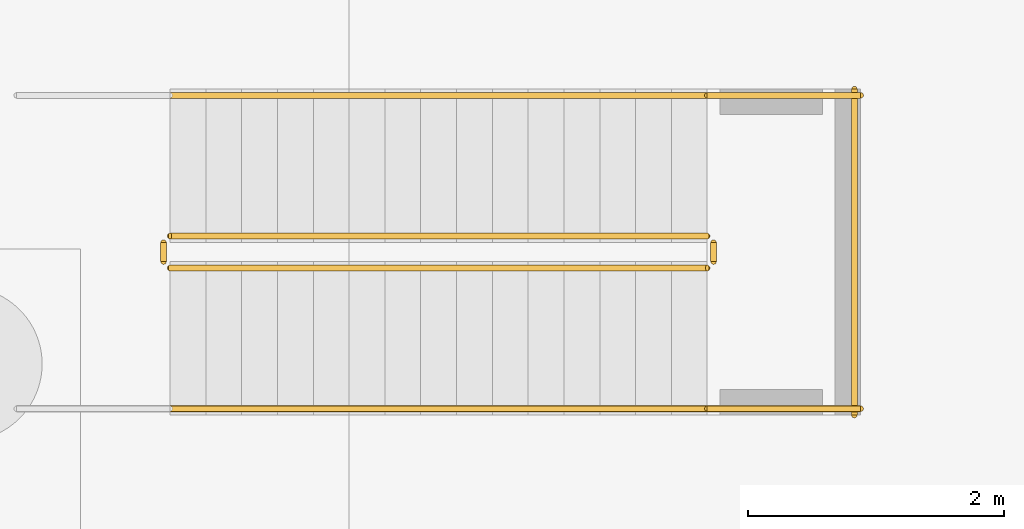
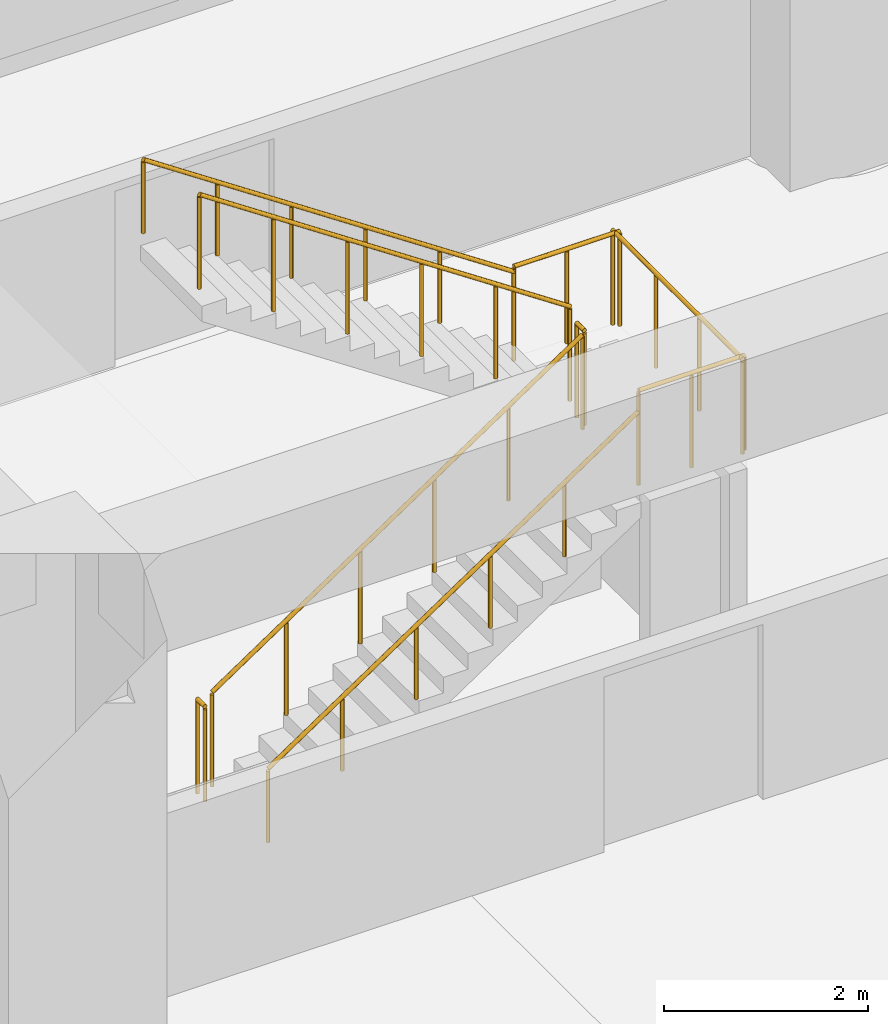
# One storey, part 10 of 13: 9 railings.
"""IFC4 building model written with IfcOpenShell, lengths in metres."""

from ifc_helpers import new_model, si_unit, direction, frame, origin, origin_2d, place, context, subcontext, project, spatial, circle, extrude, material, type_object, element, save


model = new_model("IFC4")

# Units and contexts
model_context = context("Model", 3, precision=1e-05, world=origin(), true_north=direction((0.0, 1.0)))
body_context = subcontext(model_context, "Body", "Model", "MODEL_VIEW")
ifc_project = project(units=[si_unit("LENGTHUNIT", "METRE"), si_unit("AREAUNIT", "SQUARE_METRE"), si_unit("VOLUMEUNIT", "CUBIC_METRE"), si_unit("PLANEANGLEUNIT", "RADIAN"), si_unit("MASSUNIT", "GRAM", prefix="KILO")], contexts=[model_context])

# Site, building, storey
site_placement = place(None, origin())
site = spatial("IfcSite", under=ifc_project, at=site_placement, CompositionType="ELEMENT")
building_placement = place(site_placement, origin())
building = spatial("IfcBuilding", under=site, at=building_placement, Name="Saffron Iwan Residences", CompositionType="ELEMENT")
storey_placement = place(building_placement, frame((0.0, 0.0, -11.39990234375)))
storey = spatial("IfcBuildingStorey", under=building, at=storey_placement, Name="B2", CompositionType="ELEMENT", Elevation=-11.39990234375)

# Railings
ifc_material = material(Name="Steel S355", Category="steel")
railing_type_1 = type_object("IfcRailingType", Name="Podium stair guard 1150", PredefinedType="GUARDRAIL", material=ifc_material)
railing_1_placement = place(storey_placement, frame((32.199951171875, 12.14990234375, 0.1875)))
element("IfcRailing", 1, at=railing_1_placement, inside=storey, type_object=railing_type_1, Name="B2 SP2 stair guard 1", PredefinedType="GUARDRAIL", context=body_context, shape_type="SweptSolid", body=[
    extrude(circle(Radius=0.02392578125, at=origin_2d()), frame((0.0, 0.0, 1.1259765625), z_axis=(0.830904186295, 0.0, 0.556415522067), x_axis=(0.0, 1.0, 0.0)), (0.0, 0.0, 1.0), 5.0546875),
    extrude(circle(Radius=0.02099609375, at=origin_2d()), origin(), (0.0, 0.0, 1.0), 1.101806640625),
    extrude(circle(Radius=0.02099609375, at=origin_2d()), frame((0.840087890625, 0.0, 0.5625)), (0.0, 0.0, 1.0), 1.101806640625),
    extrude(circle(Radius=0.02099609375, at=origin_2d()), frame((1.679931640625, 0.0, 1.125)), (0.0, 0.0, 1.0), 1.101806640625),
    extrude(circle(Radius=0.02099609375, at=origin_2d()), frame((2.52001953125, 0.0, 1.6875)), (0.0, 0.0, 1.0), 1.101806640625),
    extrude(circle(Radius=0.02099609375, at=origin_2d()), frame((3.35986328125, 0.0, 2.25)), (0.0, 0.0, 1.0), 1.101806640625),
    extrude(circle(Radius=0.02099609375, at=origin_2d()), frame((4.199951171875, 0.0, 2.8125)), (0.0, 0.0, 1.0), 1.101806640625),
])
railing_2_placement = place(storey_placement, frame((36.449951171875, 12.199951171875, 3.0)))
element("IfcRailing", 2, at=railing_2_placement, inside=storey, type_object=railing_type_1, Name="B2 SP2 stair guard 2", PredefinedType="GUARDRAIL", context=body_context, shape_type="SweptSolid", body=[
    extrude(circle(Radius=0.02392578125, at=origin_2d()), frame((0.0, 0.0, 1.1259765625), z_axis=(0.0, 1.0, 0.0), x_axis=(-1.0, 0.0, 0.0)), (0.0, 0.0, 1.0), 0.150146484375),
    extrude(circle(Radius=0.02099609375, at=origin_2d()), origin(), (0.0, 0.0, 1.0), 1.101806640625),
    extrude(circle(Radius=0.02099609375, at=origin_2d()), frame((0.0, 0.150146484375, 0.0)), (0.0, 0.0, 1.0), 1.101806640625),
])
for number, where, name in (
    (3, (36.39990234375, 11.050048828125, 3.0), "B2 SP2 stair guard 3"),
    (4, (36.39990234375, 13.5, 3.0), "B2 SP2 stair guard 4"),
):
    element("IfcRailing", number, at=place(storey_placement, frame(where)), inside=storey, type_object=railing_type_1, Name=name, PredefinedType="GUARDRAIL", context=body_context, shape_type="SweptSolid", body=[
        extrude(circle(Radius=0.02392578125, at=origin_2d()), frame((0.0, 0.0, 1.1259765625), z_axis=(1.0, 0.0, 0.0), x_axis=(0.0, 1.0, 0.0)), (0.0, 0.0, 1.0), 1.2001953125),
        extrude(circle(Radius=0.02099609375, at=origin_2d()), origin(), (0.0, 0.0, 1.0), 1.101806640625),
        extrude(circle(Radius=0.02099609375, at=origin_2d()), frame((0.60009765625, 0.0, 0.0)), (0.0, 0.0, 1.0), 1.101806640625),
        extrude(circle(Radius=0.02099609375, at=origin_2d()), frame((1.2001953125, 0.0, 0.0)), (0.0, 0.0, 1.0), 1.101806640625),
    ])
railing_3_placement = place(storey_placement, frame((37.550048828125, 11.0, 3.0)))
element("IfcRailing", 5, at=railing_3_placement, inside=storey, type_object=railing_type_1, Name="B2 SP2 stair guard 5", PredefinedType="GUARDRAIL", context=body_context, shape_type="SweptSolid", body=[
    extrude(circle(Radius=0.02392578125, at=origin_2d()), frame((0.0, 0.0, 1.1259765625), z_axis=(0.0, 1.0, 0.0), x_axis=(-1.0, 0.0, 0.0)), (0.0, 0.0, 1.0), 2.550048828125),
    extrude(circle(Radius=0.02099609375, at=origin_2d()), origin(), (0.0, 0.0, 1.0), 1.101806640625),
    extrude(circle(Radius=0.02099609375, at=origin_2d()), frame((0.0, 0.85009765625, 0.0)), (0.0, 0.0, 1.0), 1.101806640625),
    extrude(circle(Radius=0.02099609375, at=origin_2d()), frame((0.0, 1.699951171875, 0.0)), (0.0, 0.0, 1.0), 1.101806640625),
    extrude(circle(Radius=0.02099609375, at=origin_2d()), frame((0.0, 2.550048828125, 0.0)), (0.0, 0.0, 1.0), 1.101806640625),
])
railing_4_placement = place(storey_placement, frame((36.39990234375, 12.39990234375, 3.1875)))
element("IfcRailing", 6, at=railing_4_placement, inside=storey, type_object=railing_type_1, Name="B2 SP2 stair guard 6", PredefinedType="GUARDRAIL", context=body_context, shape_type="SweptSolid", body=[
    extrude(circle(Radius=0.02392578125, at=origin_2d()), frame((0.0, 0.0, 1.1259765625), z_axis=(-0.830904186295, 0.0, 0.556415522067), x_axis=(0.0, -1.0, 0.0)), (0.0, 0.0, 1.0), 5.0546875),
    extrude(circle(Radius=0.02099609375, at=origin_2d()), origin(), (0.0, 0.0, 1.0), 1.101806640625),
    extrude(circle(Radius=0.02099609375, at=origin_2d()), frame((-0.840087890625, 0.0, 0.5625)), (0.0, 0.0, 1.0), 1.101806640625),
    extrude(circle(Radius=0.02099609375, at=origin_2d()), frame((-1.679931640625, 0.0, 1.125)), (0.0, 0.0, 1.0), 1.101806640625),
    extrude(circle(Radius=0.02099609375, at=origin_2d()), frame((-2.52001953125, 0.0, 1.6875)), (0.0, 0.0, 1.0), 1.101806640625),
    extrude(circle(Radius=0.02099609375, at=origin_2d()), frame((-3.35986328125, 0.0, 2.25)), (0.0, 0.0, 1.0), 1.101806640625),
    extrude(circle(Radius=0.02099609375, at=origin_2d()), frame((-4.199951171875, 0.0, 2.8125)), (0.0, 0.0, 1.0), 1.101806640625),
])
railing_5_placement = place(storey_placement, frame((32.14990234375, 12.199951171875, 0.0)))
element("IfcRailing", 7, at=railing_5_placement, inside=storey, type_object=railing_type_1, Name="B2 SP2 stair guard 7", PredefinedType="GUARDRAIL", context=body_context, shape_type="SweptSolid", body=[
    extrude(circle(Radius=0.02392578125, at=origin_2d()), frame((0.0, 0.0, 1.1259765625), z_axis=(0.0, 1.0, 0.0), x_axis=(-1.0, 0.0, 0.0)), (0.0, 0.0, 1.0), 0.150146484375),
    extrude(circle(Radius=0.02099609375, at=origin_2d()), origin(), (0.0, 0.0, 1.0), 1.101806640625),
    extrude(circle(Radius=0.02099609375, at=origin_2d()), frame((0.0, 0.150146484375, 0.0)), (0.0, 0.0, 1.0), 1.101806640625),
])
railing_type_2 = type_object("IfcRailingType", Name="Podium stair handrail 900", PredefinedType="HANDRAIL", material=ifc_material)
railing_6_placement = place(storey_placement, frame((32.199951171875, 11.050048828125, 0.1875)))
element("IfcRailing", 8, at=railing_6_placement, inside=storey, type_object=railing_type_2, Name="B2 SP2 stair handrail 1", PredefinedType="HANDRAIL", context=body_context, shape_type="SweptSolid", body=[
    extrude(circle(Radius=0.02392578125, at=origin_2d()), frame((0.0, 0.0, 0.8759765625), z_axis=(0.830904186295, 0.0, 0.556415522067), x_axis=(0.0, 1.0, 0.0)), (0.0, 0.0, 1.0), 5.0546875),
    extrude(circle(Radius=0.02099609375, at=origin_2d()), origin(), (0.0, 0.0, 1.0), 0.851806640625),
    extrude(circle(Radius=0.02099609375, at=origin_2d()), frame((0.840087890625, 0.0, 0.5625)), (0.0, 0.0, 1.0), 0.851806640625),
    extrude(circle(Radius=0.02099609375, at=origin_2d()), frame((1.679931640625, 0.0, 1.125)), (0.0, 0.0, 1.0), 0.851806640625),
    extrude(circle(Radius=0.02099609375, at=origin_2d()), frame((2.52001953125, 0.0, 1.6875)), (0.0, 0.0, 1.0), 0.851806640625),
    extrude(circle(Radius=0.02099609375, at=origin_2d()), frame((3.35986328125, 0.0, 2.25)), (0.0, 0.0, 1.0), 0.851806640625),
    extrude(circle(Radius=0.02099609375, at=origin_2d()), frame((4.199951171875, 0.0, 2.8125)), (0.0, 0.0, 1.0), 0.851806640625),
])
railing_7_placement = place(storey_placement, frame((36.39990234375, 13.5, 3.1875)))
element("IfcRailing", 9, at=railing_7_placement, inside=storey, type_object=railing_type_2, Name="B2 SP2 stair handrail 2", PredefinedType="HANDRAIL", context=body_context, shape_type="SweptSolid", body=[
    extrude(circle(Radius=0.02392578125, at=origin_2d()), frame((0.0, 0.0, 0.8759765625), z_axis=(-0.830904186295, 0.0, 0.556415522067), x_axis=(0.0, -1.0, 0.0)), (0.0, 0.0, 1.0), 5.0546875),
    extrude(circle(Radius=0.02099609375, at=origin_2d()), origin(), (0.0, 0.0, 1.0), 0.851806640625),
    extrude(circle(Radius=0.02099609375, at=origin_2d()), frame((-0.840087890625, 0.0, 0.5625)), (0.0, 0.0, 1.0), 0.851806640625),
    extrude(circle(Radius=0.02099609375, at=origin_2d()), frame((-1.679931640625, 0.0, 1.125)), (0.0, 0.0, 1.0), 0.851806640625),
    extrude(circle(Radius=0.02099609375, at=origin_2d()), frame((-2.52001953125, 0.0, 1.6875)), (0.0, 0.0, 1.0), 0.851806640625),
    extrude(circle(Radius=0.02099609375, at=origin_2d()), frame((-3.35986328125, 0.0, 2.25)), (0.0, 0.0, 1.0), 0.851806640625),
    extrude(circle(Radius=0.02099609375, at=origin_2d()), frame((-4.199951171875, 0.0, 2.8125)), (0.0, 0.0, 1.0), 0.851806640625),
])

save(model, "model.ifc")
